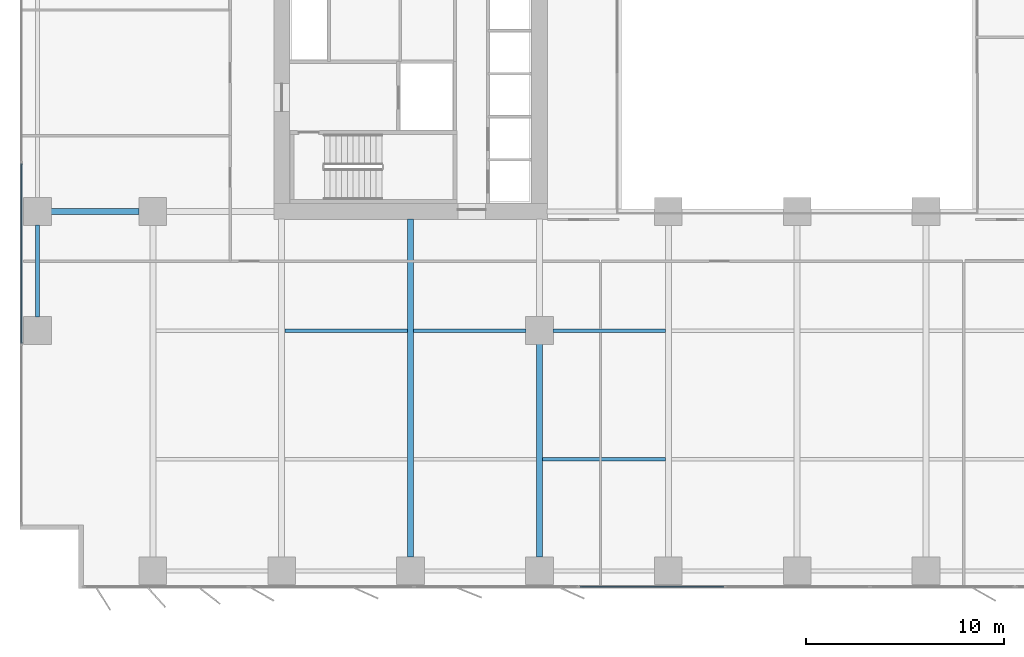
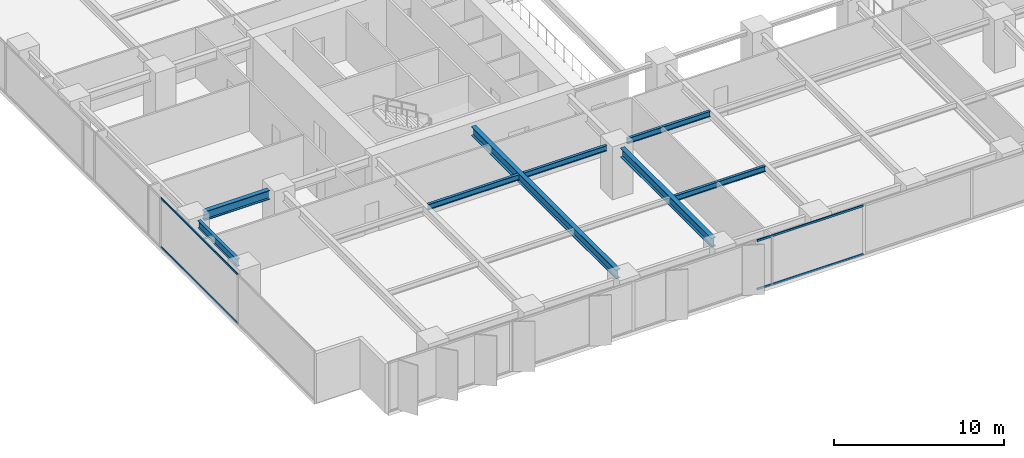
# One storey, part 3 of 20: 8 beams, 4 members, 2 elements without a shape of their own.
"""IFC4 building model written with IfcOpenShell, lengths in metres."""

from ifc_helpers import new_model, si_unit, direction, frame, origin, origin_2d, place, context, subcontext, project, spatial, rectangle, i_section, extrude, material, layer, layer_set, material_profile, profile_set, type_object, element, aggregate, save


model = new_model("IFC4")

# Units and contexts
model_context = context("Model", 3, precision=1e-05, world=origin(), true_north=direction((0.0, 1.0)))
body_context = subcontext(model_context, "Body", "Model", "MODEL_VIEW")
ifc_project = project(units=[si_unit("LENGTHUNIT", "METRE"), si_unit("AREAUNIT", "SQUARE_METRE"), si_unit("VOLUMEUNIT", "CUBIC_METRE"), si_unit("PLANEANGLEUNIT", "RADIAN"), si_unit("MASSUNIT", "GRAM", prefix="KILO")], contexts=[model_context])

# Site, building, storey
site_placement = place(None, origin())
site = spatial("IfcSite", under=ifc_project, at=site_placement, CompositionType="ELEMENT")
building_placement = place(site_placement, origin())
building = spatial("IfcBuilding", under=site, at=building_placement, Name="Putna Gate Headquarters", CompositionType="ELEMENT")
storey_placement = place(building_placement, frame((0.0, 0.0, 50.60009765625)))
storey = spatial("IfcBuildingStorey", under=building, at=storey_placement, Name="L11", CompositionType="ELEMENT", Elevation=50.60009765625)

# Beams
ifc_material_1 = material(Name="Steel S355J2", Category="steel")
ifc_material_profile_1 = material_profile(ifc_material_1, i_section(OverallWidth=0.300048828125, OverallDepth=0.64990234375, WebThickness=0.01611328125, FlangeThickness=0.031005859375, at=origin_2d()), Name="Steel S355J2")
ifc_profile_set_1 = profile_set([ifc_material_profile_1], Name="Steel S355J2")
beam_type_1 = type_object("IfcBeamType", Name="BM-GIRD-Z1-HEB650", PredefinedType="USERDEFINED", material=ifc_profile_set_1)
beam_1_placement = place(storey_placement, frame((1.367919921875, 19.0, 3.224853515625), z_axis=(1.0, 0.0, 0.0), x_axis=(0.0, 1.0, 0.0)))
element("IfcBeam", 1, at=beam_1_placement, inside=storey, type_object=beam_type_1, Name="L11 West Wing Girder Y19-1", ObjectType="GIRDER", PredefinedType="USERDEFINED", context=body_context, shape_type="SweptSolid", body=[
    extrude(i_section(OverallWidth=0.300048828125, OverallDepth=0.64990234375, WebThickness=0.01611328125, FlangeThickness=0.031005859375, at=origin_2d()), origin(), (0.0, 0.0, 1.0), 4.444091796875),
])
beam_2_placement = place(storey_placement, frame((19.5, 1.568115234375, 3.224853515625), z_axis=(0.0, 1.0, 0.0), x_axis=(-1.0, 0.0, 0.0)))
element("IfcBeam", 2, at=beam_2_placement, inside=storey, type_object=beam_type_1, Name="L11 South Primary Girder X19", ObjectType="GIRDER", PredefinedType="USERDEFINED", context=body_context, shape_type="SweptSolid", body=[
    extrude(i_section(OverallWidth=0.300048828125, OverallDepth=0.64990234375, WebThickness=0.01611328125, FlangeThickness=0.031005859375, at=origin_2d()), origin(), (0.0, 0.0, 1.0), 17.046875),
])
beam_3_placement = place(storey_placement, frame((26.0, 1.568115234375, 3.224853515625), z_axis=(0.0, 1.0, 0.0), x_axis=(-1.0, 0.0, 0.0)))
element("IfcBeam", 3, at=beam_3_placement, inside=storey, type_object=beam_type_1, Name="L11 South Primary Girder X26-1", ObjectType="GIRDER", PredefinedType="USERDEFINED", context=body_context, shape_type="SweptSolid", body=[
    extrude(i_section(OverallWidth=0.300048828125, OverallDepth=0.64990234375, WebThickness=0.01611328125, FlangeThickness=0.031005859375, at=origin_2d()), origin(), (0.0, 0.0, 1.0), 10.743896484375),
])
ifc_material_profile_2 = material_profile(ifc_material_1, i_section(OverallWidth=0.179931640625, OverallDepth=0.39990234375, WebThickness=0.008544921875, FlangeThickness=0.013427734375, at=origin_2d()), Name="Steel S355J2")
ifc_profile_set_2 = profile_set([ifc_material_profile_2], Name="Steel S355J2")
beam_type_2 = type_object("IfcBeamType", Name="BM-SEC-Z1-IPE400", PredefinedType="BEAM", material=ifc_profile_set_2)
beam_4_placement = place(storey_placement, frame((13.154052734375, 13.0, 3.349853515625), z_axis=(1.0, 0.0, 0.0), x_axis=(0.0, 1.0, 0.0)))
element("IfcBeam", 4, at=beam_4_placement, inside=storey, type_object=beam_type_2, Name="L11 South Secondary Beam 2", PredefinedType="BEAM", context=body_context, shape_type="SweptSolid", body=[
    extrude(i_section(OverallWidth=0.179931640625, OverallDepth=0.39990234375, WebThickness=0.008544921875, FlangeThickness=0.013427734375, at=origin_2d()), origin(), (0.0, 0.0, 1.0), 6.19189453125),
])
beam_5_placement = place(storey_placement, frame((19.654052734375, 13.0, 3.349853515625), z_axis=(1.0, 0.0, 0.0), x_axis=(0.0, 1.0, 0.0)))
element("IfcBeam", 5, at=beam_5_placement, inside=storey, type_object=beam_type_2, Name="L11 South Secondary Beam 3", PredefinedType="BEAM", context=body_context, shape_type="SweptSolid", body=[
    extrude(i_section(OverallWidth=0.179931640625, OverallDepth=0.39990234375, WebThickness=0.008544921875, FlangeThickness=0.013427734375, at=origin_2d()), origin(), (0.0, 0.0, 1.0), 5.657958984375),
])
beam_6_placement = place(storey_placement, frame((26.154052734375, 6.5, 3.349853515625), z_axis=(1.0, 0.0, 0.0), x_axis=(0.0, 1.0, 0.0)))
element("IfcBeam", 6, at=beam_6_placement, inside=storey, type_object=beam_type_2, Name="L11 South Secondary Beam 4", PredefinedType="BEAM", context=body_context, shape_type="SweptSolid", body=[
    extrude(i_section(OverallWidth=0.179931640625, OverallDepth=0.39990234375, WebThickness=0.008544921875, FlangeThickness=0.013427734375, at=origin_2d()), origin(), (0.0, 0.0, 1.0), 6.19189453125),
])
beam_7_placement = place(storey_placement, frame((26.68798828125, 13.0, 3.349853515625), z_axis=(1.0, 0.0, 0.0), x_axis=(0.0, 1.0, 0.0)))
element("IfcBeam", 7, at=beam_7_placement, inside=storey, type_object=beam_type_2, Name="L11 South Secondary Beam 4", PredefinedType="BEAM", context=body_context, shape_type="SweptSolid", body=[
    extrude(i_section(OverallWidth=0.179931640625, OverallDepth=0.39990234375, WebThickness=0.008544921875, FlangeThickness=0.013427734375, at=origin_2d()), origin(), (0.0, 0.0, 1.0), 5.657958984375),
])
ifc_material_profile_3 = material_profile(ifc_material_1, i_section(OverallWidth=0.2099609375, OverallDepth=0.550048828125, WebThickness=0.010986328125, FlangeThickness=0.01708984375, at=origin_2d()), Name="Steel S355J2")
ifc_profile_set_3 = profile_set([ifc_material_profile_3], Name="Steel S355J2")
beam_type_3 = type_object("IfcBeamType", Name="BM-SPAN-Z1-IPE550", PredefinedType="SPANDREL", material=ifc_profile_set_3)
beam_8_placement = place(storey_placement, frame((0.679931640625, 13.68798828125, 3.27490234375), z_axis=(0.0, 1.0, 0.0), x_axis=(-1.0, 0.0, 0.0)))
element("IfcBeam", 8, at=beam_8_placement, inside=storey, type_object=beam_type_3, Name="L11 W End Spandrel 1", PredefinedType="SPANDREL", context=body_context, shape_type="SweptSolid", body=[
    extrude(i_section(OverallWidth=0.2099609375, OverallDepth=0.550048828125, WebThickness=0.010986328125, FlangeThickness=0.01708984375, at=origin_2d()), origin(), (0.0, 0.0, 1.0), 4.6240234375),
])

# Curtain wall, members
ifc_material_2 = material(Name="Anodised bronze aluminium curtain wall", Category="aluminium")
ifc_layer_1 = layer(ifc_material_2, 0.179931640625)
ifc_layer_set_1 = layer_set([ifc_layer_1], Name="Anodised bronze aluminium curtain wall")
curtain_wall_type_1 = type_object("IfcCurtainWallType", Name="CW-SYS-Z1", PredefinedType="USERDEFINED", material=ifc_layer_set_1)
curtain_wall_1_placement = place(storey_placement, origin())
curtain_wall_1 = element("IfcCurtainWall", 9, at=curtain_wall_1_placement, inside=storey, type_object=curtain_wall_type_1, Name="L11 West Curtain Wall", ObjectType="STICK CURTAIN WALL", PredefinedType="USERDEFINED")
ifc_material_3 = material(Name="Anodised bronze aluminium EN AW-6060", Category="aluminium")
ifc_material_profile_4 = material_profile(ifc_material_3, rectangle(XDim=0.06494140625, YDim=0.1201171875, at=origin_2d()), Name="Anodised bronze aluminium EN AW-6060")
ifc_profile_set_4 = profile_set([ifc_material_profile_4], Name="Anodised bronze aluminium EN AW-6060")
member_type_1 = type_object("IfcMemberType", Name="TRAN-CWT-1", PredefinedType="USERDEFINED", material=ifc_profile_set_4)
member_1_placement = place(storey_placement, frame((-0.1201171875, 12.35498046875, 0.032470703125), z_axis=(0.0, 1.0, 0.0), x_axis=(-1.0, 0.0, 0.0)))
member_1 = element("IfcMember", 10, at=member_1_placement, type_object=member_type_1, Name="CWS-1 transom 2.1", ObjectType="TRANSOM", PredefinedType="USERDEFINED", context=body_context, shape_type="SweptSolid", body=[
    extrude(rectangle(XDim=0.06494140625, YDim=0.1201171875, at=origin_2d()), origin(), (0.0, 0.0, 1.0), 9.050048828125),
])
member_2_placement = place(storey_placement, frame((-0.1201171875, 12.35498046875, 3.517333984375), z_axis=(0.0, 1.0, 0.0), x_axis=(-1.0, 0.0, 0.0)))
member_2 = element("IfcMember", 11, at=member_2_placement, type_object=member_type_1, Name="CWS-1 transom 2.2", ObjectType="TRANSOM", PredefinedType="USERDEFINED", context=body_context, shape_type="SweptSolid", body=[
    extrude(rectangle(XDim=0.06494140625, YDim=0.1201171875, at=origin_2d()), origin(), (0.0, 0.0, 1.0), 9.050048828125),
])
aggregate(curtain_wall_1, [member_1, member_2])

ifc_layer_2 = layer(ifc_material_2, 0.179931640625)
ifc_layer_set_2 = layer_set([ifc_layer_2], Name="Anodised bronze aluminium curtain wall")
curtain_wall_type_2 = type_object("IfcCurtainWallType", Name="CW-SYS-ATR", PredefinedType="USERDEFINED", material=ifc_layer_set_2)
curtain_wall_2_placement = place(storey_placement, origin())
curtain_wall_2 = element("IfcCurtainWall", 12, at=curtain_wall_2_placement, inside=storey, type_object=curtain_wall_type_2, Name="L11 South Atrium Clear Glazing", ObjectType="ATRIUM GLAZING", PredefinedType="USERDEFINED")
ifc_material_profile_5 = material_profile(ifc_material_3, rectangle(XDim=0.070068359375, YDim=0.139892578125, at=origin_2d()), Name="Anodised bronze aluminium EN AW-6060")
ifc_profile_set_5 = profile_set([ifc_material_profile_5], Name="Anodised bronze aluminium EN AW-6060")
member_type_2 = type_object("IfcMemberType", Name="TRAN-CWT-AT", PredefinedType="USERDEFINED", material=ifc_profile_set_5)
member_3_placement = place(storey_placement, frame((28.070068359375, 0.080078125, 0.034912109375), z_axis=(1.0, 0.0, 0.0), x_axis=(0.0, 1.0, 0.0)))
member_3 = element("IfcMember", 13, at=member_3_placement, type_object=member_type_2, Name="CWS-AT transom 1.1", ObjectType="TRANSOM", PredefinedType="USERDEFINED", context=body_context, shape_type="SweptSolid", body=[
    extrude(rectangle(XDim=0.070068359375, YDim=0.139892578125, at=origin_2d()), origin(), (0.0, 0.0, 1.0), 7.228271484375),
])
member_4_placement = place(storey_placement, frame((28.070068359375, 0.080078125, 3.514892578125), z_axis=(1.0, 0.0, 0.0), x_axis=(0.0, 1.0, 0.0)))
member_4 = element("IfcMember", 14, at=member_4_placement, type_object=member_type_2, Name="CWS-AT transom 1.2", ObjectType="TRANSOM", PredefinedType="USERDEFINED", context=body_context, shape_type="SweptSolid", body=[
    extrude(rectangle(XDim=0.070068359375, YDim=0.139892578125, at=origin_2d()), origin(), (0.0, 0.0, 1.0), 7.228271484375),
])
aggregate(curtain_wall_2, [member_3, member_4])

save(model, "model.ifc")
